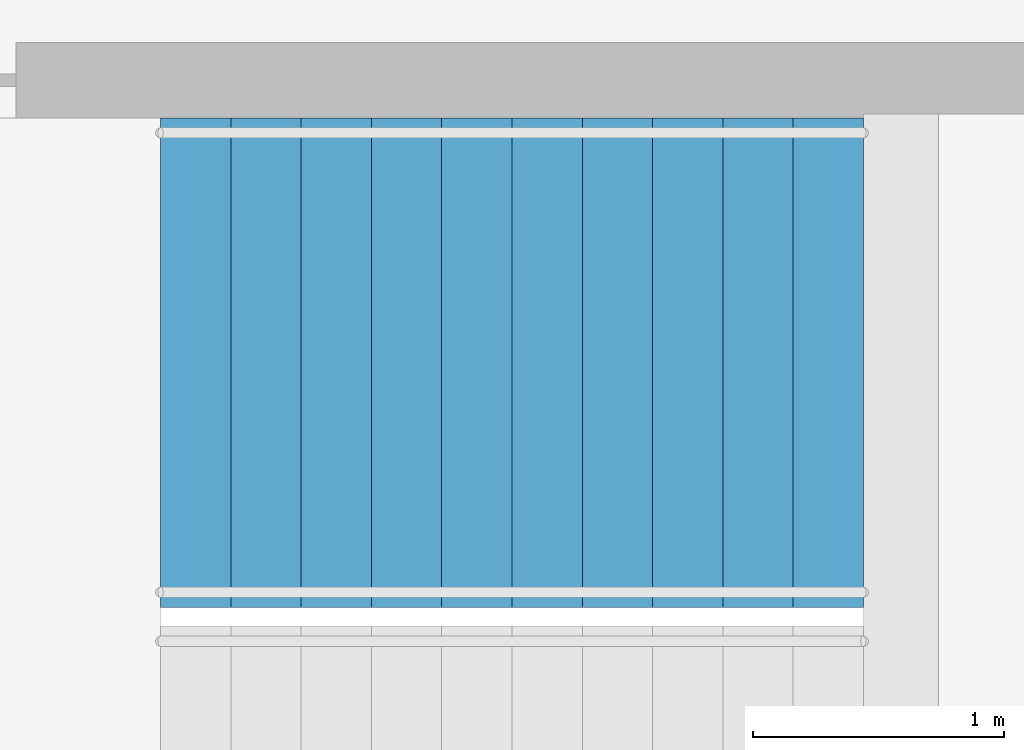
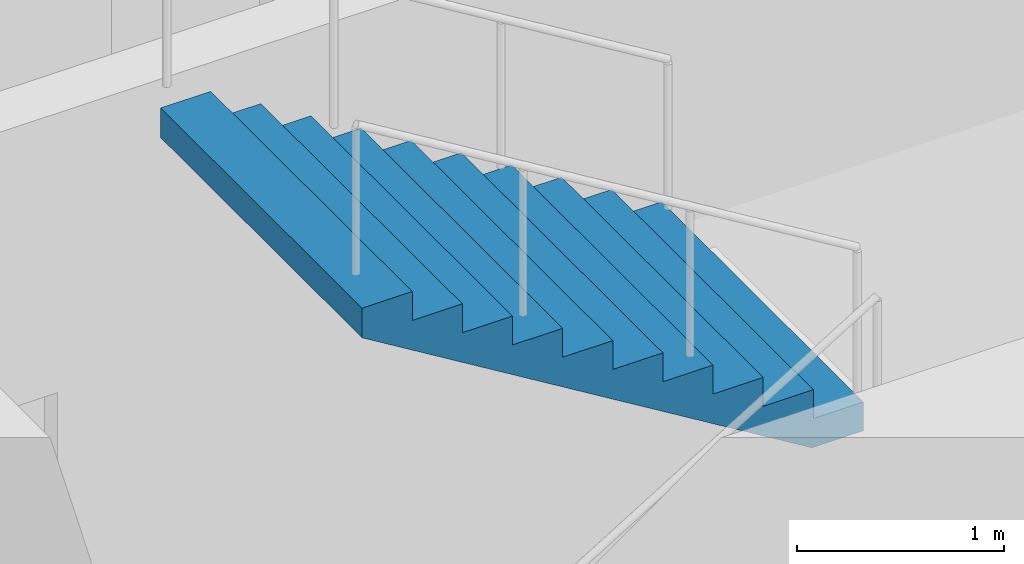
# One storey, part 18 of 21: 1 stair flight, 1 element without a shape of its own.
"""IFC4 building model written with IfcOpenShell, lengths in metres."""

from ifc_helpers import new_model, si_unit, direction, frame, origin, place, context, subcontext, project, spatial, triangles, material, type_object, element, aggregate, save


model = new_model("IFC4")

# Units and contexts
model_context = context("Model", 3, precision=1e-05, world=origin(), true_north=direction((0.0, 1.0)))
body_context = subcontext(model_context, "Body", "Model", "MODEL_VIEW")
ifc_project = project(units=[si_unit("LENGTHUNIT", "METRE"), si_unit("AREAUNIT", "SQUARE_METRE"), si_unit("VOLUMEUNIT", "CUBIC_METRE"), si_unit("PLANEANGLEUNIT", "RADIAN"), si_unit("MASSUNIT", "GRAM", prefix="KILO")], contexts=[model_context])

# Site, building, storey
site_placement = place(None, origin())
site = spatial("IfcSite", under=ifc_project, at=site_placement, CompositionType="ELEMENT")
building_placement = place(site_placement, origin())
building = spatial("IfcBuilding", under=site, at=building_placement, Name="Orbita Commons", CompositionType="ELEMENT")
storey_placement = place(building_placement, frame((0.0, 0.0, 110.64990234375)))
storey = spatial("IfcBuildingStorey", under=building, at=storey_placement, Name="L27", CompositionType="ELEMENT", Elevation=110.64990234375)

# Stair, stair flight
ifc_material_1 = material(Name="Precast concrete C40/50", Category="concrete")
stair_type = type_object("IfcStairType", Name="Exit stair S1 2 flights 11 risers 170", PredefinedType="HALF_TURN_STAIR", material=ifc_material_1)
stair_placement = place(storey_placement, origin())
stair = element("IfcStair", 1, at=stair_placement, inside=storey, type_object=stair_type, Name="Exit stair S1 L27", PredefinedType="HALF_TURN_STAIR")
ifc_material_2 = material(Name="Precast concrete C40/50", Category="concrete")
stair_flight_type = type_object("IfcStairFlightType", Name="Stair flight 11 risers 170 x 280", PredefinedType="STRAIGHT", material=ifc_material_2)
stair_flight_placement = place(storey_placement, frame((23.25, 29.27490234375, 1.875), z_axis=(0.0, 0.0, 1.0), x_axis=(-1.0, 0.0, 0.0)))
stair_flight = element("IfcStairFlight", 2, at=stair_flight_placement, type_object=stair_flight_type, Name="S1 flight 2", NumberOfRisers=11, NumberOfTreads=10, PredefinedType="STRAIGHT", RiserHeight=0.170454545, TreadLength=0.28, context=body_context, shape_type="Tessellation", body=[
    triangles([(0.0, 0.974976, 0.0), (0.0, 0.974976, 0.021307), (0.0, 0.81248, 0.021307), (0.0, 0.81248, 0.0), (0.0, 0.649984, 0.021307), (0.0, 0.649984, 0.0), (0.0, 0.487488, 0.021307), (0.0, 0.487488, 0.0), (0.0, 0.324992, 0.021307), (0.0, 0.324992, 0.0), (0.0, 0.162496, 0.021307), (0.0, 0.162496, 0.0), (0.0, 0.0, 0.021307), (0.0, 0.0, 0.0), (0.0, -0.162496, 0.021307), (0.0, -0.162496, 0.0), (0.0, -0.324992, 0.021307), (0.0, -0.324992, 0.0), (0.0, -0.487488, 0.021307), (0.0, -0.487488, 0.0), (0.0, -0.649984, 0.021307), (0.0, -0.649984, 0.0), (0.0, -0.81248, 0.021307), (0.0, -0.81248, 0.0), (0.0, -0.974976, 0.021307), (0.0, -0.974976, 0.0), (0.0, 0.974976, 0.042614), (0.0, 0.81248, 0.042614), (0.0, 0.649984, 0.042614), (0.0, 0.487488, 0.042614), (0.0, 0.324992, 0.042614), (0.0, 0.162496, 0.042614), (0.0, 0.0, 0.042614), (0.0, -0.162496, 0.042614), (0.0, -0.324992, 0.042614), (0.0, -0.487488, 0.042614), (0.0, -0.649984, 0.042614), (0.0, -0.81248, 0.042614), (0.0, -0.974976, 0.042614), (0.0, 0.974976, 0.06392), (0.0, 0.81248, 0.06392), (0.0, 0.649984, 0.06392), (0.0, 0.487488, 0.06392), (0.0, 0.324992, 0.06392), (0.0, 0.162496, 0.06392), (0.0, 0.0, 0.06392), (0.0, -0.162496, 0.06392), (0.0, -0.324992, 0.06392), (0.0, -0.487488, 0.06392), (0.0, -0.649984, 0.06392), (0.0, -0.81248, 0.06392), (0.0, -0.974976, 0.06392), (0.0, 0.974976, 0.085227), (0.0, 0.81248, 0.085227), (0.0, 0.649984, 0.085227), (0.0, 0.487488, 0.085227), (0.0, 0.324992, 0.085227), (0.0, 0.162496, 0.085227), (0.0, 0.0, 0.085227), (0.0, -0.162496, 0.085227), (0.0, -0.324992, 0.085227), (0.0, -0.487488, 0.085227), (0.0, -0.649984, 0.085227), (0.0, -0.81248, 0.085227), (0.0, -0.974976, 0.085227), (0.0, 0.974976, 0.106534), (0.0, 0.81248, 0.106534), (0.0, 0.649984, 0.106534), (0.0, 0.487488, 0.106534), (0.0, 0.324992, 0.106534), (0.0, 0.162496, 0.106534), (0.0, 0.0, 0.106534), (0.0, -0.162496, 0.106534), (0.0, -0.324992, 0.106534), (0.0, -0.487488, 0.106534), (0.0, -0.649984, 0.106534), (0.0, -0.81248, 0.106534), (0.0, -0.974976, 0.106534), (0.0, 0.974976, 0.127841), (0.0, 0.81248, 0.127841), (0.0, 0.649984, 0.127841), (0.0, 0.487488, 0.127841), (0.0, 0.324992, 0.127841), (0.0, 0.162496, 0.127841), (0.0, 0.0, 0.127841), (0.0, -0.162496, 0.127841), (0.0, -0.324992, 0.127841), (0.0, -0.487488, 0.127841), (0.0, -0.649984, 0.127841), (0.0, -0.81248, 0.127841), (0.0, -0.974976, 0.127841), (0.0, 0.974976, 0.149148), (0.0, 0.81248, 0.149148), (0.0, 0.649984, 0.149148), (0.0, 0.487488, 0.149148), (0.0, 0.324992, 0.149148), (0.0, 0.162496, 0.149148), (0.0, 0.0, 0.149148), (0.0, -0.162496, 0.149148), (0.0, -0.324992, 0.149148), (0.0, -0.487488, 0.149148), (0.0, -0.649984, 0.149148), (0.0, -0.81248, 0.149148), (0.0, -0.974976, 0.149148), (0.0, 0.974976, 0.170455), (0.0, 0.81248, 0.170455), (0.0, 0.649984, 0.170455), (0.0, 0.487488, 0.170455), (0.0, 0.324992, 0.170455), (0.0, 0.162496, 0.170455), (0.0, 0.0, 0.170455), (0.0, -0.162496, 0.170455), (0.0, -0.324992, 0.170455), (0.0, -0.487488, 0.170455), (0.0, -0.649984, 0.170455), (0.0, -0.81248, 0.170455), (0.0, -0.974976, 0.170455), (0.28, 0.974976, 0.170455), (0.28, 0.81248, 0.170455), (0.28, 0.649984, 0.170455), (0.28, 0.487488, 0.170455), (0.28, 0.324992, 0.170455), (0.28, 0.162496, 0.170455), (0.28, 0.0, 0.170455), (0.28, -0.162496, 0.170455), (0.28, -0.324992, 0.170455), (0.28, -0.487488, 0.170455), (0.28, -0.649984, 0.170455), (0.28, -0.81248, 0.170455), (0.28, -0.974976, 0.170455), (0.28, 0.974976, 0.340909), (0.28, 0.81248, 0.340909), (0.28, 0.649984, 0.340909), (0.28, 0.487488, 0.340909), (0.28, 0.324992, 0.340909), (0.28, 0.162496, 0.340909), (0.28, 0.0, 0.340909), (0.28, -0.162496, 0.340909), (0.28, -0.324992, 0.340909), (0.28, -0.487488, 0.340909), (0.28, -0.649984, 0.340909), (0.28, -0.81248, 0.340909), (0.28, -0.974976, 0.340909), (0.56, 0.974976, 0.340909), (0.56, 0.81248, 0.340909), (0.56, 0.649984, 0.340909), (0.56, 0.487488, 0.340909), (0.56, 0.324992, 0.340909), (0.56, 0.162496, 0.340909), (0.56, 0.0, 0.340909), (0.56, -0.162496, 0.340909), (0.56, -0.324992, 0.340909), (0.56, -0.487488, 0.340909), (0.56, -0.649984, 0.340909), (0.56, -0.81248, 0.340909), (0.56, -0.974976, 0.340909), (0.56, 0.974976, 0.511364), (0.56, 0.81248, 0.511364), (0.56, 0.649984, 0.511364), (0.56, 0.487488, 0.511364), (0.56, 0.324992, 0.511364), (0.56, 0.162496, 0.511364), (0.56, 0.0, 0.511364), (0.56, -0.162496, 0.511364), (0.56, -0.324992, 0.511364), (0.56, -0.487488, 0.511364), (0.56, -0.649984, 0.511364), (0.56, -0.81248, 0.511364), (0.56, -0.974976, 0.511364), (0.84, 0.974976, 0.511364), (0.84, 0.81248, 0.511364), (0.84, 0.649984, 0.511364), (0.84, 0.487488, 0.511364), (0.84, 0.324992, 0.511364), (0.84, 0.162496, 0.511364), (0.84, 0.0, 0.511364), (0.84, -0.162496, 0.511364), (0.84, -0.324992, 0.511364), (0.84, -0.487488, 0.511364), (0.84, -0.649984, 0.511364), (0.84, -0.81248, 0.511364), (0.84, -0.974976, 0.511364), (0.84, 0.974976, 0.681818), (0.84, 0.81248, 0.681818), (0.84, 0.649984, 0.681818), (0.84, 0.487488, 0.681818), (0.84, 0.324992, 0.681818), (0.84, 0.162496, 0.681818), (0.84, 0.0, 0.681818), (0.84, -0.162496, 0.681818), (0.84, -0.324992, 0.681818), (0.84, -0.487488, 0.681818), (0.84, -0.649984, 0.681818), (0.84, -0.81248, 0.681818), (0.84, -0.974976, 0.681818), (1.12, 0.974976, 0.681818), (1.12, 0.81248, 0.681818), (1.12, 0.649984, 0.681818), (1.12, 0.487488, 0.681818), (1.12, 0.324992, 0.681818), (1.12, 0.162496, 0.681818), (1.12, 0.0, 0.681818), (1.12, -0.162496, 0.681818), (1.12, -0.324992, 0.681818), (1.12, -0.487488, 0.681818), (1.12, -0.649984, 0.681818), (1.12, -0.81248, 0.681818), (1.12, -0.974976, 0.681818), (1.12, 0.974976, 0.852273), (1.12, 0.81248, 0.852273), (1.12, 0.649984, 0.852273), (1.12, 0.487488, 0.852273), (1.12, 0.324992, 0.852273), (1.12, 0.162496, 0.852273), (1.12, 0.0, 0.852273), (1.12, -0.162496, 0.852273), (1.12, -0.324992, 0.852273), (1.12, -0.487488, 0.852273), (1.12, -0.649984, 0.852273), (1.12, -0.81248, 0.852273), (1.12, -0.974976, 0.852273), (1.4, 0.974976, 0.852273), (1.4, 0.81248, 0.852273), (1.4, 0.649984, 0.852273), (1.4, 0.487488, 0.852273), (1.4, 0.324992, 0.852273), (1.4, 0.162496, 0.852273), (1.4, 0.0, 0.852273), (1.4, -0.162496, 0.852273), (1.4, -0.324992, 0.852273), (1.4, -0.487488, 0.852273), (1.4, -0.649984, 0.852273), (1.4, -0.81248, 0.852273), (1.4, -0.974976, 0.852273), (1.4, 0.974976, 1.022727), (1.4, 0.81248, 1.022727), (1.4, 0.649984, 1.022727), (1.4, 0.487488, 1.022727), (1.4, 0.324992, 1.022727), (1.4, 0.162496, 1.022727), (1.4, 0.0, 1.022727), (1.4, -0.162496, 1.022727), (1.4, -0.324992, 1.022727), (1.4, -0.487488, 1.022727), (1.4, -0.649984, 1.022727), (1.4, -0.81248, 1.022727), (1.4, -0.974976, 1.022727), (1.68, 0.974976, 1.022727), (1.68, 0.81248, 1.022727), (1.68, 0.649984, 1.022727), (1.68, 0.487488, 1.022727), (1.68, 0.324992, 1.022727), (1.68, 0.162496, 1.022727), (1.68, 0.0, 1.022727), (1.68, -0.162496, 1.022727), (1.68, -0.324992, 1.022727), (1.68, -0.487488, 1.022727), (1.68, -0.649984, 1.022727), (1.68, -0.81248, 1.022727), (1.68, -0.974976, 1.022727), (1.68, 0.974976, 1.193182), (1.68, 0.81248, 1.193182), (1.68, 0.649984, 1.193182), (1.68, 0.487488, 1.193182), (1.68, 0.324992, 1.193182), (1.68, 0.162496, 1.193182), (1.68, 0.0, 1.193182), (1.68, -0.162496, 1.193182), (1.68, -0.324992, 1.193182), (1.68, -0.487488, 1.193182), (1.68, -0.649984, 1.193182), (1.68, -0.81248, 1.193182), (1.68, -0.974976, 1.193182), (1.96, 0.974976, 1.193182), (1.96, 0.81248, 1.193182), (1.96, 0.649984, 1.193182), (1.96, 0.487488, 1.193182), (1.96, 0.324992, 1.193182), (1.96, 0.162496, 1.193182), (1.96, 0.0, 1.193182), (1.96, -0.162496, 1.193182), (1.96, -0.324992, 1.193182), (1.96, -0.487488, 1.193182), (1.96, -0.649984, 1.193182), (1.96, -0.81248, 1.193182), (1.96, -0.974976, 1.193182), (1.96, 0.974976, 1.363636), (1.96, 0.81248, 1.363636), (1.96, 0.649984, 1.363636), (1.96, 0.487488, 1.363636), (1.96, 0.324992, 1.363636), (1.96, 0.162496, 1.363636), (1.96, 0.0, 1.363636), (1.96, -0.162496, 1.363636), (1.96, -0.324992, 1.363636), (1.96, -0.487488, 1.363636), (1.96, -0.649984, 1.363636), (1.96, -0.81248, 1.363636), (1.96, -0.974976, 1.363636), (2.24, 0.974976, 1.363636), (2.24, 0.81248, 1.363636), (2.24, 0.649984, 1.363636), (2.24, 0.487488, 1.363636), (2.24, 0.324992, 1.363636), (2.24, 0.162496, 1.363636), (2.24, 0.0, 1.363636), (2.24, -0.162496, 1.363636), (2.24, -0.324992, 1.363636), (2.24, -0.487488, 1.363636), (2.24, -0.649984, 1.363636), (2.24, -0.81248, 1.363636), (2.24, -0.974976, 1.363636), (2.24, 0.974976, 1.534091), (2.24, 0.81248, 1.534091), (2.24, 0.649984, 1.534091), (2.24, 0.487488, 1.534091), (2.24, 0.324992, 1.534091), (2.24, 0.162496, 1.534091), (2.24, 0.0, 1.534091), (2.24, -0.162496, 1.534091), (2.24, -0.324992, 1.534091), (2.24, -0.487488, 1.534091), (2.24, -0.649984, 1.534091), (2.24, -0.81248, 1.534091), (2.24, -0.974976, 1.534091), (2.52, 0.974976, 1.534091), (2.52, 0.81248, 1.534091), (2.52, 0.649984, 1.534091), (2.52, 0.487488, 1.534091), (2.52, 0.324992, 1.534091), (2.52, 0.162496, 1.534091), (2.52, 0.0, 1.534091), (2.52, -0.162496, 1.534091), (2.52, -0.324992, 1.534091), (2.52, -0.487488, 1.534091), (2.52, -0.649984, 1.534091), (2.52, -0.81248, 1.534091), (2.52, -0.974976, 1.534091), (2.52, 0.974976, 1.704545), (2.52, 0.81248, 1.704545), (2.52, 0.649984, 1.704545), (2.52, 0.487488, 1.704545), (2.52, 0.324992, 1.704545), (2.52, 0.162496, 1.704545), (2.52, 0.0, 1.704545), (2.52, -0.162496, 1.704545), (2.52, -0.324992, 1.704545), (2.52, -0.487488, 1.704545), (2.52, -0.649984, 1.704545), (2.52, -0.81248, 1.704545), (2.52, -0.974976, 1.704545), (2.8, 0.974976, 1.704545), (2.8, 0.81248, 1.704545), (2.8, 0.649984, 1.704545), (2.8, 0.487488, 1.704545), (2.8, 0.324992, 1.704545), (2.8, 0.162496, 1.704545), (2.8, 0.0, 1.704545), (2.8, -0.162496, 1.704545), (2.8, -0.324992, 1.704545), (2.8, -0.487488, 1.704545), (2.8, -0.649984, 1.704545), (2.8, -0.81248, 1.704545), (2.8, -0.974976, 1.704545), (2.8, 0.974976, 1.682609), (2.8, 0.81248, 1.682609), (2.8, 0.649984, 1.682609), (2.8, 0.487488, 1.682609), (2.8, 0.324992, 1.682609), (2.8, 0.162496, 1.682609), (2.8, 0.0, 1.682609), (2.8, -0.162496, 1.682609), (2.8, -0.324992, 1.682609), (2.8, -0.487488, 1.682609), (2.8, -0.649984, 1.682609), (2.8, -0.81248, 1.682609), (2.8, -0.974976, 1.682609), (2.8, 0.974976, 1.660672), (2.8, 0.81248, 1.660672), (2.8, 0.649984, 1.660672), (2.8, 0.487488, 1.660672), (2.8, 0.324992, 1.660672), (2.8, 0.162496, 1.660672), (2.8, 0.0, 1.660672), (2.8, -0.162496, 1.660672), (2.8, -0.324992, 1.660672), (2.8, -0.487488, 1.660672), (2.8, -0.649984, 1.660672), (2.8, -0.81248, 1.660672), (2.8, -0.974976, 1.660672), (2.8, 0.974976, 1.638735), (2.8, 0.81248, 1.638735), (2.8, 0.649984, 1.638735), (2.8, 0.487488, 1.638735), (2.8, 0.324992, 1.638735), (2.8, 0.162496, 1.638735), (2.8, 0.0, 1.638735), (2.8, -0.162496, 1.638735), (2.8, -0.324992, 1.638735), (2.8, -0.487488, 1.638735), (2.8, -0.649984, 1.638735), (2.8, -0.81248, 1.638735), (2.8, -0.974976, 1.638735), (2.8, 0.974976, 1.616798), (2.8, 0.81248, 1.616798), (2.8, 0.649984, 1.616798), (2.8, 0.487488, 1.616798), (2.8, 0.324992, 1.616798), (2.8, 0.162496, 1.616798), (2.8, 0.0, 1.616798), (2.8, -0.162496, 1.616798), (2.8, -0.324992, 1.616798), (2.8, -0.487488, 1.616798), (2.8, -0.649984, 1.616798), (2.8, -0.81248, 1.616798), (2.8, -0.974976, 1.616798), (2.8, 0.974976, 1.594861), (2.8, 0.81248, 1.594861), (2.8, 0.649984, 1.594861), (2.8, 0.487488, 1.594861), (2.8, 0.324992, 1.594861), (2.8, 0.162496, 1.594861), (2.8, 0.0, 1.594861), (2.8, -0.162496, 1.594861), (2.8, -0.324992, 1.594861), (2.8, -0.487488, 1.594861), (2.8, -0.649984, 1.594861), (2.8, -0.81248, 1.594861), (2.8, -0.974976, 1.594861), (2.8, 0.974976, 1.572925), (2.8, 0.81248, 1.572925), (2.8, 0.649984, 1.572925), (2.8, 0.487488, 1.572925), (2.8, 0.324992, 1.572925), (2.8, 0.162496, 1.572925), (2.8, 0.0, 1.572925), (2.8, -0.162496, 1.572925), (2.8, -0.324992, 1.572925), (2.8, -0.487488, 1.572925), (2.8, -0.649984, 1.572925), (2.8, -0.81248, 1.572925), (2.8, -0.974976, 1.572925), (2.8, 0.974976, 1.550988), (2.8, 0.81248, 1.550988), (2.8, 0.649984, 1.550988), (2.8, 0.487488, 1.550988), (2.8, 0.324992, 1.550988), (2.8, 0.162496, 1.550988), (2.8, 0.0, 1.550988), (2.8, -0.162496, 1.550988), (2.8, -0.324992, 1.550988), (2.8, -0.487488, 1.550988), (2.8, -0.649984, 1.550988), (2.8, -0.81248, 1.550988), (2.8, -0.974976, 1.550988), (2.8, 0.974976, 1.529051), (2.8, 0.81248, 1.529051), (2.8, 0.649984, 1.529051), (2.8, 0.487488, 1.529051), (2.8, 0.324992, 1.529051), (2.8, 0.162496, 1.529051), (2.8, 0.0, 1.529051), (2.8, -0.162496, 1.529051), (2.8, -0.324992, 1.529051), (2.8, -0.487488, 1.529051), (2.8, -0.649984, 1.529051), (2.8, -0.81248, 1.529051), (2.8, -0.974976, 1.529051), (0.288279, 0.974976, 0.0), (0.288279, 0.81248, 0.0), (0.288279, 0.649984, 0.0), (0.288279, 0.487488, 0.0), (0.288279, 0.324992, 0.0), (0.288279, 0.162496, 0.0), (0.288279, 0.0, 0.0), (0.288279, -0.162496, 0.0), (0.288279, -0.324992, 0.0), (0.288279, -0.487488, 0.0), (0.288279, -0.649984, 0.0), (0.288279, -0.81248, 0.0), (0.288279, -0.974976, 0.0)], [[3, 2, 1], [4, 3, 1], [5, 3, 4], [6, 5, 4], [7, 5, 6], [8, 7, 6], [9, 7, 8], [10, 9, 8], [11, 9, 10], [12, 11, 10], [13, 11, 12], [14, 13, 12], [15, 13, 14], [16, 15, 14], [17, 15, 16], [18, 17, 16], [19, 17, 18], [20, 19, 18], [21, 19, 20], [22, 21, 20], [23, 21, 22], [24, 23, 22], [25, 23, 24], [26, 25, 24], [28, 27, 2], [3, 28, 2], [29, 28, 3], [5, 29, 3], [30, 29, 5], [7, 30, 5], [31, 30, 7], [9, 31, 7], [32, 31, 9], [11, 32, 9], [33, 32, 11], [13, 33, 11], [34, 33, 13], [15, 34, 13], [35, 34, 15], [17, 35, 15], [36, 35, 17], [19, 36, 17], [37, 36, 19], [21, 37, 19], [38, 37, 21], [23, 38, 21], [39, 38, 23], [25, 39, 23], [41, 40, 27], [28, 41, 27], [42, 41, 28], [29, 42, 28], [43, 42, 29], [30, 43, 29], [44, 43, 30], [31, 44, 30], [45, 44, 31], [32, 45, 31], [46, 45, 32], [33, 46, 32], [47, 46, 33], [34, 47, 33], [48, 47, 34], [35, 48, 34], [49, 48, 35], [36, 49, 35], [50, 49, 36], [37, 50, 36], [51, 50, 37], [38, 51, 37], [52, 51, 38], [39, 52, 38], [54, 53, 40], [41, 54, 40], [55, 54, 41], [42, 55, 41], [56, 55, 42], [43, 56, 42], [57, 56, 43], [44, 57, 43], [58, 57, 44], [45, 58, 44], [59, 58, 45], [46, 59, 45], [60, 59, 46], [47, 60, 46], [61, 60, 47], [48, 61, 47], [62, 61, 48], [49, 62, 48], [63, 62, 49], [50, 63, 49], [64, 63, 50], [51, 64, 50], [65, 64, 51], [52, 65, 51], [67, 66, 53], [54, 67, 53], [68, 67, 54], [55, 68, 54], [69, 68, 55], [56, 69, 55], [70, 69, 56], [57, 70, 56], [71, 70, 57], [58, 71, 57], [72, 71, 58], [59, 72, 58], [73, 72, 59], [60, 73, 59], [74, 73, 60], [61, 74, 60], [75, 74, 61], [62, 75, 61], [76, 75, 62], [63, 76, 62], [77, 76, 63], [64, 77, 63], [78, 77, 64], [65, 78, 64], [80, 79, 66], [67, 80, 66], [81, 80, 67], [68, 81, 67], [82, 81, 68], [69, 82, 68], [83, 82, 69], [70, 83, 69], [84, 83, 70], [71, 84, 70], [85, 84, 71], [72, 85, 71], [86, 85, 72], [73, 86, 72], [87, 86, 73], [74, 87, 73], [88, 87, 74], [75, 88, 74], [89, 88, 75], [76, 89, 75], [90, 89, 76], [77, 90, 76], [91, 90, 77], [78, 91, 77], [93, 92, 79], [80, 93, 79], [94, 93, 80], [81, 94, 80], [95, 94, 81], [82, 95, 81], [96, 95, 82], [83, 96, 82], [97, 96, 83], [84, 97, 83], [98, 97, 84], [85, 98, 84], [99, 98, 85], [86, 99, 85], [100, 99, 86], [87, 100, 86], [101, 100, 87], [88, 101, 87], [102, 101, 88], [89, 102, 88], [103, 102, 89], [90, 103, 89], [104, 103, 90], [91, 104, 90], [106, 105, 92], [93, 106, 92], [107, 106, 93], [94, 107, 93], [108, 107, 94], [95, 108, 94], [109, 108, 95], [96, 109, 95], [110, 109, 96], [97, 110, 96], [111, 110, 97], [98, 111, 97], [112, 111, 98], [99, 112, 98], [113, 112, 99], [100, 113, 99], [114, 113, 100], [101, 114, 100], [115, 114, 101], [102, 115, 101], [116, 115, 102], [103, 116, 102], [117, 116, 103], [104, 117, 103], [119, 118, 105], [106, 119, 105], [120, 119, 106], [107, 120, 106], [121, 120, 107], [108, 121, 107], [122, 121, 108], [109, 122, 108], [123, 122, 109], [110, 123, 109], [124, 123, 110], [111, 124, 110], [125, 124, 111], [112, 125, 111], [126, 125, 112], [113, 126, 112], [127, 126, 113], [114, 127, 113], [128, 127, 114], [115, 128, 114], [129, 128, 115], [116, 129, 115], [130, 129, 116], [117, 130, 116], [132, 131, 118], [119, 132, 118], [133, 132, 119], [120, 133, 119], [134, 133, 120], [121, 134, 120], [135, 134, 121], [122, 135, 121], [136, 135, 122], [123, 136, 122], [137, 136, 123], [124, 137, 123], [138, 137, 124], [125, 138, 124], [139, 138, 125], [126, 139, 125], [140, 139, 126], [127, 140, 126], [141, 140, 127], [128, 141, 127], [142, 141, 128], [129, 142, 128], [143, 142, 129], [130, 143, 129], [145, 144, 131], [132, 145, 131], [146, 145, 132], [133, 146, 132], [147, 146, 133], [134, 147, 133], [148, 147, 134], [135, 148, 134], [149, 148, 135], [136, 149, 135], [150, 149, 136], [137, 150, 136], [151, 150, 137], [138, 151, 137], [152, 151, 138], [139, 152, 138], [153, 152, 139], [140, 153, 139], [154, 153, 140], [141, 154, 140], [155, 154, 141], [142, 155, 141], [156, 155, 142], [143, 156, 142], [158, 157, 144], [145, 158, 144], [159, 158, 145], [146, 159, 145], [160, 159, 146], [147, 160, 146], [161, 160, 147], [148, 161, 147], [162, 161, 148], [149, 162, 148], [163, 162, 149], [150, 163, 149], [164, 163, 150], [151, 164, 150], [165, 164, 151], [152, 165, 151], [166, 165, 152], [153, 166, 152], [167, 166, 153], [154, 167, 153], [168, 167, 154], [155, 168, 154], [169, 168, 155], [156, 169, 155], [171, 170, 157], [158, 171, 157], [172, 171, 158], [159, 172, 158], [173, 172, 159], [160, 173, 159], [174, 173, 160], [161, 174, 160], [175, 174, 161], [162, 175, 161], [176, 175, 162], [163, 176, 162], [177, 176, 163], [164, 177, 163], [178, 177, 164], [165, 178, 164], [179, 178, 165], [166, 179, 165], [180, 179, 166], [167, 180, 166], [181, 180, 167], [168, 181, 167], [182, 181, 168], [169, 182, 168], [184, 183, 170], [171, 184, 170], [185, 184, 171], [172, 185, 171], [186, 185, 172], [173, 186, 172], [187, 186, 173], [174, 187, 173], [188, 187, 174], [175, 188, 174], [189, 188, 175], [176, 189, 175], [190, 189, 176], [177, 190, 176], [191, 190, 177], [178, 191, 177], [192, 191, 178], [179, 192, 178], [193, 192, 179], [180, 193, 179], [194, 193, 180], [181, 194, 180], [195, 194, 181], [182, 195, 181], [197, 196, 183], [184, 197, 183], [198, 197, 184], [185, 198, 184], [199, 198, 185], [186, 199, 185], [200, 199, 186], [187, 200, 186], [201, 200, 187], [188, 201, 187], [202, 201, 188], [189, 202, 188], [203, 202, 189], [190, 203, 189], [204, 203, 190], [191, 204, 190], [205, 204, 191], [192, 205, 191], [206, 205, 192], [193, 206, 192], [207, 206, 193], [194, 207, 193], [208, 207, 194], [195, 208, 194], [210, 209, 196], [197, 210, 196], [211, 210, 197], [198, 211, 197], [212, 211, 198], [199, 212, 198], [213, 212, 199], [200, 213, 199], [214, 213, 200], [201, 214, 200], [215, 214, 201], [202, 215, 201], [216, 215, 202], [203, 216, 202], [217, 216, 203], [204, 217, 203], [218, 217, 204], [205, 218, 204], [219, 218, 205], [206, 219, 205], [220, 219, 206], [207, 220, 206], [221, 220, 207], [208, 221, 207], [223, 222, 209], [210, 223, 209], [224, 223, 210], [211, 224, 210], [225, 224, 211], [212, 225, 211], [226, 225, 212], [213, 226, 212], [227, 226, 213], [214, 227, 213], [228, 227, 214], [215, 228, 214], [229, 228, 215], [216, 229, 215], [230, 229, 216], [217, 230, 216], [231, 230, 217], [218, 231, 217], [232, 231, 218], [219, 232, 218], [233, 232, 219], [220, 233, 219], [234, 233, 220], [221, 234, 220], [236, 235, 222], [223, 236, 222], [237, 236, 223], [224, 237, 223], [238, 237, 224], [225, 238, 224], [239, 238, 225], [226, 239, 225], [240, 239, 226], [227, 240, 226], [241, 240, 227], [228, 241, 227], [242, 241, 228], [229, 242, 228], [243, 242, 229], [230, 243, 229], [244, 243, 230], [231, 244, 230], [245, 244, 231], [232, 245, 231], [246, 245, 232], [233, 246, 232], [247, 246, 233], [234, 247, 233], [249, 248, 235], [236, 249, 235], [250, 249, 236], [237, 250, 236], [251, 250, 237], [238, 251, 237], [252, 251, 238], [239, 252, 238], [253, 252, 239], [240, 253, 239], [254, 253, 240], [241, 254, 240], [255, 254, 241], [242, 255, 241], [256, 255, 242], [243, 256, 242], [257, 256, 243], [244, 257, 243], [258, 257, 244], [245, 258, 244], [259, 258, 245], [246, 259, 245], [260, 259, 246], [247, 260, 246], [262, 261, 248], [249, 262, 248], [263, 262, 249], [250, 263, 249], [264, 263, 250], [251, 264, 250], [265, 264, 251], [252, 265, 251], [266, 265, 252], [253, 266, 252], [267, 266, 253], [254, 267, 253], [268, 267, 254], [255, 268, 254], [269, 268, 255], [256, 269, 255], [270, 269, 256], [257, 270, 256], [271, 270, 257], [258, 271, 257], [272, 271, 258], [259, 272, 258], [273, 272, 259], [260, 273, 259], [275, 274, 261], [262, 275, 261], [276, 275, 262], [263, 276, 262], [277, 276, 263], [264, 277, 263], [278, 277, 264], [265, 278, 264], [279, 278, 265], [266, 279, 265], [280, 279, 266], [267, 280, 266], [281, 280, 267], [268, 281, 267], [282, 281, 268], [269, 282, 268], [283, 282, 269], [270, 283, 269], [284, 283, 270], [271, 284, 270], [285, 284, 271], [272, 285, 271], [286, 285, 272], [273, 286, 272], [288, 287, 274], [275, 288, 274], [289, 288, 275], [276, 289, 275], [290, 289, 276], [277, 290, 276], [291, 290, 277], [278, 291, 277], [292, 291, 278], [279, 292, 278], [293, 292, 279], [280, 293, 279], [294, 293, 280], [281, 294, 280], [295, 294, 281], [282, 295, 281], [296, 295, 282], [283, 296, 282], [297, 296, 283], [284, 297, 283], [298, 297, 284], [285, 298, 284], [299, 298, 285], [286, 299, 285], [301, 300, 287], [288, 301, 287], [302, 301, 288], [289, 302, 288], [303, 302, 289], [290, 303, 289], [304, 303, 290], [291, 304, 290], [305, 304, 291], [292, 305, 291], [306, 305, 292], [293, 306, 292], [307, 306, 293], [294, 307, 293], [308, 307, 294], [295, 308, 294], [309, 308, 295], [296, 309, 295], [310, 309, 296], [297, 310, 296], [311, 310, 297], [298, 311, 297], [312, 311, 298], [299, 312, 298], [314, 313, 300], [301, 314, 300], [315, 314, 301], [302, 315, 301], [316, 315, 302], [303, 316, 302], [317, 316, 303], [304, 317, 303], [318, 317, 304], [305, 318, 304], [319, 318, 305], [306, 319, 305], [320, 319, 306], [307, 320, 306], [321, 320, 307], [308, 321, 307], [322, 321, 308], [309, 322, 308], [323, 322, 309], [310, 323, 309], [324, 323, 310], [311, 324, 310], [325, 324, 311], [312, 325, 311], [327, 326, 313], [314, 327, 313], [328, 327, 314], [315, 328, 314], [329, 328, 315], [316, 329, 315], [330, 329, 316], [317, 330, 316], [331, 330, 317], [318, 331, 317], [332, 331, 318], [319, 332, 318], [333, 332, 319], [320, 333, 319], [334, 333, 320], [321, 334, 320], [335, 334, 321], [322, 335, 321], [336, 335, 322], [323, 336, 322], [337, 336, 323], [324, 337, 323], [338, 337, 324], [325, 338, 324], [340, 339, 326], [327, 340, 326], [341, 340, 327], [328, 341, 327], [342, 341, 328], [329, 342, 328], [343, 342, 329], [330, 343, 329], [344, 343, 330], [331, 344, 330], [345, 344, 331], [332, 345, 331], [346, 345, 332], [333, 346, 332], [347, 346, 333], [334, 347, 333], [348, 347, 334], [335, 348, 334], [349, 348, 335], [336, 349, 335], [350, 349, 336], [337, 350, 336], [351, 350, 337], [338, 351, 337], [353, 352, 339], [340, 353, 339], [354, 353, 340], [341, 354, 340], [355, 354, 341], [342, 355, 341], [356, 355, 342], [343, 356, 342], [357, 356, 343], [344, 357, 343], [358, 357, 344], [345, 358, 344], [359, 358, 345], [346, 359, 345], [360, 359, 346], [347, 360, 346], [361, 360, 347], [348, 361, 347], [362, 361, 348], [349, 362, 348], [363, 362, 349], [350, 363, 349], [364, 363, 350], [351, 364, 350], [366, 365, 352], [353, 366, 352], [367, 366, 353], [354, 367, 353], [368, 367, 354], [355, 368, 354], [369, 368, 355], [356, 369, 355], [370, 369, 356], [357, 370, 356], [371, 370, 357], [358, 371, 357], [372, 371, 358], [359, 372, 358], [373, 372, 359], [360, 373, 359], [374, 373, 360], [361, 374, 360], [375, 374, 361], [362, 375, 361], [376, 375, 362], [363, 376, 362], [377, 376, 363], [364, 377, 363], [379, 378, 365], [366, 379, 365], [380, 379, 366], [367, 380, 366], [381, 380, 367], [368, 381, 367], [382, 381, 368], [369, 382, 368], [383, 382, 369], [370, 383, 369], [384, 383, 370], [371, 384, 370], [385, 384, 371], [372, 385, 371], [386, 385, 372], [373, 386, 372], [387, 386, 373], [374, 387, 373], [388, 387, 374], [375, 388, 374], [389, 388, 375], [376, 389, 375], [390, 389, 376], [377, 390, 376], [392, 391, 378], [379, 392, 378], [393, 392, 379], [380, 393, 379], [394, 393, 380], [381, 394, 380], [395, 394, 381], [382, 395, 381], [396, 395, 382], [383, 396, 382], [397, 396, 383], [384, 397, 383], [398, 397, 384], [385, 398, 384], [399, 398, 385], [386, 399, 385], [400, 399, 386], [387, 400, 386], [401, 400, 387], [388, 401, 387], [402, 401, 388], [389, 402, 388], [403, 402, 389], [390, 403, 389], [405, 404, 391], [392, 405, 391], [406, 405, 392], [393, 406, 392], [407, 406, 393], [394, 407, 393], [408, 407, 394], [395, 408, 394], [409, 408, 395], [396, 409, 395], [410, 409, 396], [397, 410, 396], [411, 410, 397], [398, 411, 397], [412, 411, 398], [399, 412, 398], [413, 412, 399], [400, 413, 399], [414, 413, 400], [401, 414, 400], [415, 414, 401], [402, 415, 401], [416, 415, 402], [403, 416, 402], [418, 417, 404], [405, 418, 404], [419, 418, 405], [406, 419, 405], [420, 419, 406], [407, 420, 406], [421, 420, 407], [408, 421, 407], [422, 421, 408], [409, 422, 408], [423, 422, 409], [410, 423, 409], [424, 423, 410], [411, 424, 410], [425, 424, 411], [412, 425, 411], [426, 425, 412], [413, 426, 412], [427, 426, 413], [414, 427, 413], [428, 427, 414], [415, 428, 414], [429, 428, 415], [416, 429, 415], [431, 430, 417], [418, 431, 417], [432, 431, 418], [419, 432, 418], [433, 432, 419], [420, 433, 419], [434, 433, 420], [421, 434, 420], [435, 434, 421], [422, 435, 421], [436, 435, 422], [423, 436, 422], [437, 436, 423], [424, 437, 423], [438, 437, 424], [425, 438, 424], [439, 438, 425], [426, 439, 425], [440, 439, 426], [427, 440, 426], [441, 440, 427], [428, 441, 427], [442, 441, 428], [429, 442, 428], [444, 443, 430], [431, 444, 430], [445, 444, 431], [432, 445, 431], [446, 445, 432], [433, 446, 432], [447, 446, 433], [434, 447, 433], [448, 447, 434], [435, 448, 434], [449, 448, 435], [436, 449, 435], [450, 449, 436], [437, 450, 436], [451, 450, 437], [438, 451, 437], [452, 451, 438], [439, 452, 438], [453, 452, 439], [440, 453, 439], [454, 453, 440], [441, 454, 440], [455, 454, 441], [442, 455, 441], [457, 456, 443], [444, 457, 443], [458, 457, 444], [445, 458, 444], [459, 458, 445], [446, 459, 445], [460, 459, 446], [447, 460, 446], [461, 460, 447], [448, 461, 447], [462, 461, 448], [449, 462, 448], [463, 462, 449], [450, 463, 449], [464, 463, 450], [451, 464, 450], [465, 464, 451], [452, 465, 451], [466, 465, 452], [453, 466, 452], [467, 466, 453], [454, 467, 453], [468, 467, 454], [455, 468, 454], [470, 469, 456], [457, 470, 456], [471, 470, 457], [458, 471, 457], [472, 471, 458], [459, 472, 458], [473, 472, 459], [460, 473, 459], [474, 473, 460], [461, 474, 460], [475, 474, 461], [462, 475, 461], [476, 475, 462], [463, 476, 462], [477, 476, 463], [464, 477, 463], [478, 477, 464], [465, 478, 464], [479, 478, 465], [466, 479, 465], [480, 479, 466], [467, 480, 466], [481, 480, 467], [468, 481, 467], [4, 1, 469], [470, 4, 469], [6, 4, 470], [471, 6, 470], [8, 6, 471], [472, 8, 471], [10, 8, 472], [473, 10, 472], [12, 10, 473], [474, 12, 473], [14, 12, 474], [475, 14, 474], [16, 14, 475], [476, 16, 475], [18, 16, 476], [477, 18, 476], [20, 18, 477], [478, 20, 477], [22, 20, 478], [479, 22, 478], [24, 22, 479], [480, 24, 479], [26, 24, 480], [481, 26, 480], [456, 469, 1], [26, 481, 468], [443, 456, 1], [26, 468, 455], [430, 443, 1], [26, 455, 442], [417, 430, 1], [26, 442, 429], [404, 417, 1], [26, 429, 416], [391, 404, 1], [26, 416, 403], [378, 391, 1], [26, 403, 390], [365, 378, 1], [26, 390, 377], [339, 352, 365], [377, 364, 351], [326, 339, 365], [377, 351, 338], [300, 313, 326], [338, 325, 312], [300, 326, 365], [377, 338, 312], [274, 287, 300], [312, 299, 286], [274, 300, 365], [377, 312, 286], [248, 261, 274], [286, 273, 260], [248, 274, 365], [377, 286, 260], [222, 235, 248], [260, 247, 234], [222, 248, 365], [377, 260, 234], [196, 209, 222], [234, 221, 208], [196, 222, 365], [377, 234, 208], [170, 183, 196], [208, 195, 182], [170, 196, 365], [377, 208, 182], [144, 157, 170], [182, 169, 156], [144, 170, 365], [377, 182, 156], [118, 131, 144], [156, 143, 130], [118, 144, 365], [377, 156, 130], [118, 365, 1], [26, 377, 130], [92, 105, 118], [130, 117, 104], [79, 92, 118], [130, 104, 91], [66, 79, 118], [130, 91, 78], [53, 66, 118], [130, 78, 65], [40, 53, 118], [130, 65, 52], [27, 40, 118], [130, 52, 39], [2, 27, 118], [130, 39, 25], [1, 2, 118], [130, 25, 26]], closed=True),
])
aggregate(stair, [stair_flight])

save(model, "model.ifc")
